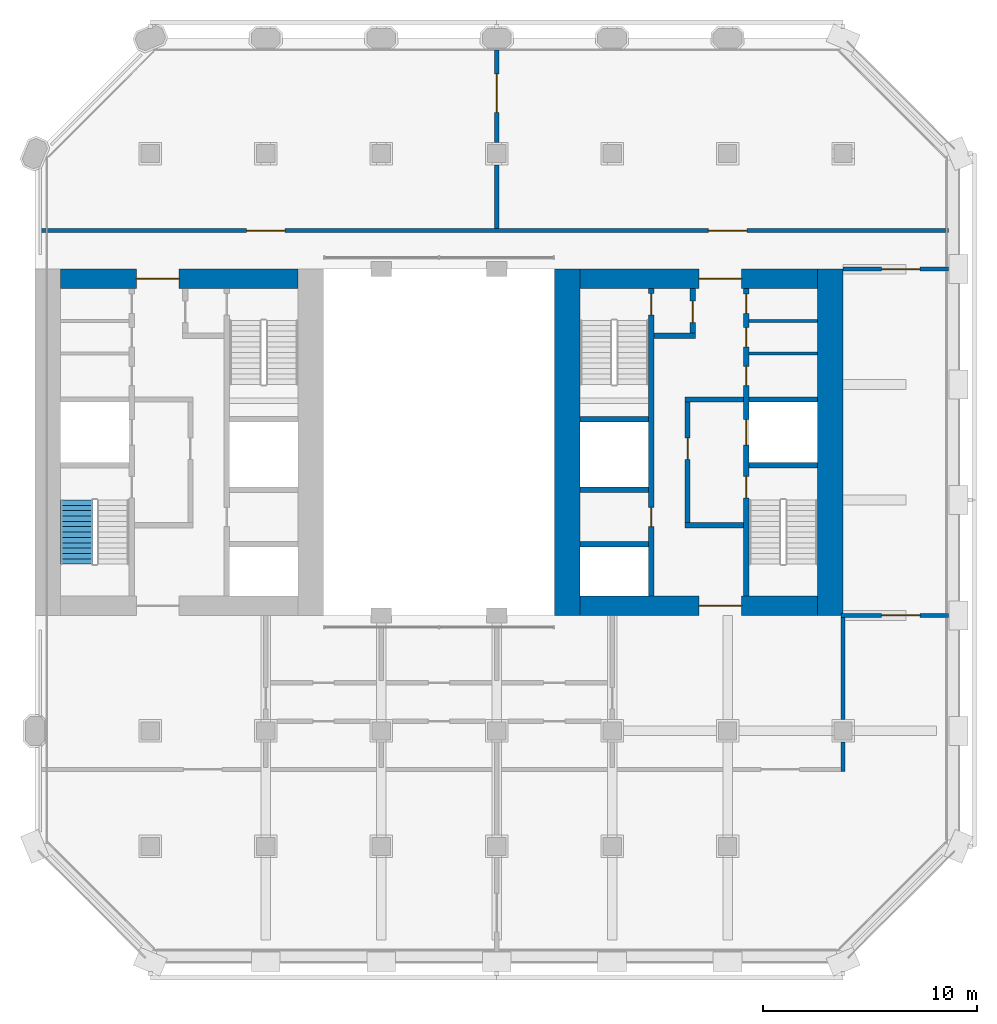
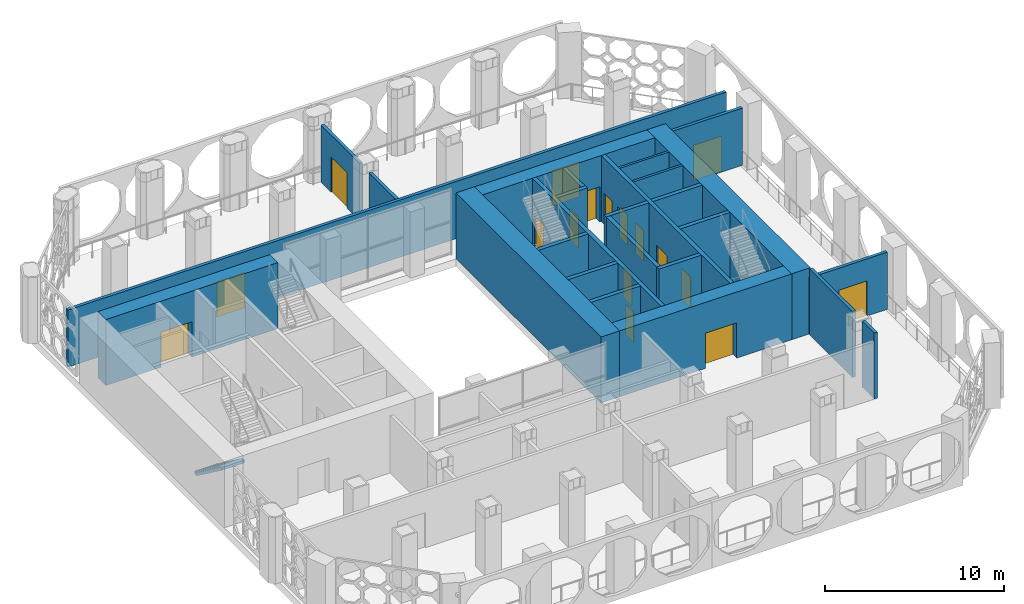
# One storey, part 9 of 14: 26 walls, 17 doors, 1 stair flight, 17 openings, 1 element without a shape of its own.
"""IFC4 building model written with IfcOpenShell, lengths in metres."""

from ifc_helpers import new_model, si_unit, direction, frame, frame_2d, origin, place, context, subcontext, project, spatial, polyline, rectangle, outline, extrude, material, layer, layer_set, type_object, element, fill, aggregate, save


model = new_model("IFC4")

# Units and contexts
model_context = context("Model", 3, precision=1e-05, world=origin(), true_north=direction((0.0, 1.0)))
body_context = subcontext(model_context, "Body", "Model", "MODEL_VIEW")
ifc_project = project(units=[si_unit("LENGTHUNIT", "METRE"), si_unit("AREAUNIT", "SQUARE_METRE"), si_unit("VOLUMEUNIT", "CUBIC_METRE"), si_unit("PLANEANGLEUNIT", "RADIAN"), si_unit("MASSUNIT", "GRAM", prefix="KILO")], contexts=[model_context])

# Site, building, storey
site_placement = place(None, origin())
site = spatial("IfcSite", under=ifc_project, at=site_placement, CompositionType="ELEMENT")
building_placement = place(site_placement, origin())
building = spatial("IfcBuilding", under=site, at=building_placement, Name="Tabaq Tower and Sports Hall", CompositionType="ELEMENT")
storey_placement = place(building_placement, frame((0.0, 0.0, 175.89990234375)))
storey = spatial("IfcBuildingStorey", under=building, at=storey_placement, Name="L42", CompositionType="ELEMENT", Elevation=175.89990234375)

# Walls
ifc_material_1 = material(Name="Blockwork", Category="masonry")
ifc_layer_1 = layer(ifc_material_1, 0.14990234375)
ifc_layer_set_1 = layer_set([ifc_layer_1], Name="Core room partition 150 Blockwork")
wall_type_1 = type_object("IfcWallType", Name="Core room partition 150 Blockwork", PredefinedType="PARTITIONING", material=ifc_layer_set_1)
for number, where, z_axis, x_axis, name in (
    (1, (38.800048828125, 28.455078125, 0.0), (0.0, 0.0, 1.0), (1.0, 0.0, 0.0), "Core room partition E L42"),
    (2, (38.800048828125, 29.97802734375, 0.0), (0.0, 0.0, 1.0), (1.0, 0.0, 0.0), "Core room partition E L42"),
):
    element("IfcWall", number, at=place(storey_placement, frame(where, z_axis=z_axis, x_axis=x_axis)), inside=storey, type_object=wall_type_1, Name=name, PredefinedType="PARTITIONING", context=body_context, shape_type="SweptSolid", body=[
        extrude(rectangle(XDim=3.199951171875, YDim=0.14990234375, at=frame_2d((1.60009765625, 0.0))), origin(), (0.0, 0.0, 1.0), 4.5),
    ])
ifc_material_2 = material(Name="Concrete C50/60", Category="concrete")
ifc_layer_2 = layer(ifc_material_2, 1.199951171875)
ifc_layer_set_2 = layer_set([ifc_layer_2], Name="Core wall 1200 Concrete C50/60")
wall_type_2 = type_object("IfcWallType", Name="Core wall 1200 Concrete C50/60", PredefinedType="SOLIDWALL", material=ifc_layer_set_2)
for number, where, z_axis, x_axis, name in (
    (3, (42.60009765625, 32.39990234375, 0.0), (0.0, 0.0, 1.0), (0.0, -1.0, 0.0), "Core wall E L42"),
    (4, (30.300048828125, 16.199951171875, 0.0), (0.0, 0.0, 1.0), (0.0, 1.0, 0.0), "Core wall E L42"),
):
    element("IfcWall", number, at=place(storey_placement, frame(where, z_axis=z_axis, x_axis=x_axis)), inside=storey, type_object=wall_type_2, Name=name, PredefinedType="SOLIDWALL", context=body_context, shape_type="SweptSolid", body=[
        extrude(rectangle(XDim=16.199951171875, YDim=1.199951171875, at=frame_2d((8.10009765625, 0.0))), origin(), (0.0, 0.0, 1.0), 4.5),
    ])

# Wall, opening, door
ifc_material_3 = material(Name="Concrete C50/60", Category="concrete")
ifc_layer_3 = layer(ifc_material_3, 0.89990234375)
ifc_layer_set_3 = layer_set([ifc_layer_3], Name="Core wall 900 Concrete C50/60")
wall_type_3 = type_object("IfcWallType", Name="Core wall 900 Concrete C50/60", PredefinedType="SOLIDWALL", material=ifc_layer_set_3)
wall_1_placement = place(storey_placement, frame((6.60009765625, 31.949951171875, 0.0), z_axis=(0.0, 0.0, 1.0), x_axis=(1.0, 0.0, 0.0)))
wall_1 = element("IfcWall", 5, at=wall_1_placement, inside=storey, type_object=wall_type_3, Name="Core wall W L42", PredefinedType="SOLIDWALL", context=body_context, shape_type="SweptSolid", body=[
    extrude(rectangle(XDim=11.099853515625, YDim=0.89990234375, at=frame_2d((5.5498046875, 0.0))), origin(), (0.0, 0.0, 1.0), 4.5),
])
opening_1_placement = place(wall_1_placement, frame((3.550048828125, 0.0, 0.0)))
opening_1 = element("IfcOpeningElement", 6, at=opening_1_placement, cuts=wall_1, Name="Opening PD-WL42-02", PredefinedType="OPENING", context=body_context, shape_type="SweptSolid", body=[
    extrude(rectangle(XDim=2.0, YDim=2.39990234375, at=frame_2d((1.0, 1.199951171875))), frame((0.0, 0.449951171875, 0.0), z_axis=(0.0, -1.0, 0.0), x_axis=(1.0, 0.0, 0.0)), (0.0, 0.0, 1.0), 0.89990234375),
])
ifc_material_4 = material(Name="Steel fire door", Category="steel")
door_type_1 = type_object("IfcDoorType", Name="Core entrance door 2000", OperationType="DOUBLE_DOOR_SINGLE_SWING", PredefinedType="DOOR", material=ifc_material_4)
door_1_placement = place(opening_1_placement, origin())
door_1 = element("IfcDoor", 7, at=door_1_placement, inside=storey, type_object=door_type_1, Name="Core entrance north W L42", OperationType="DOUBLE_DOOR_SINGLE_SWING", OverallHeight=2.39990234375, OverallWidth=2.0, PredefinedType="DOOR", context=body_context, shape_type="SweptSolid", body=[
    extrude(rectangle(XDim=2.0, YDim=2.39990234375, at=frame_2d((1.0, 1.199951171875))), frame((0.0, 0.02490234375, 0.0), z_axis=(0.0, -1.0, 0.0), x_axis=(1.0, 0.0, 0.0)), (0.0, 0.0, 1.0), 0.050048828125),
])
fill(opening_1, door_1)

wall_2_placement = place(storey_placement, frame((42.0, 16.64990234375, 0.0), z_axis=(0.0, 0.0, 1.0), x_axis=(-1.0, 0.0, 0.0)))
wall_2 = element("IfcWall", 8, at=wall_2_placement, inside=storey, type_object=wall_type_3, Name="Core wall E L42", PredefinedType="SOLIDWALL", context=body_context, shape_type="SweptSolid", body=[
    extrude(rectangle(XDim=11.10009765625, YDim=0.89990234375, at=frame_2d((5.550048828125, 0.0))), origin(), (0.0, 0.0, 1.0), 4.5),
])
opening_2_placement = place(wall_2_placement, frame((3.550048828125, 0.0, 0.0)))
opening_2 = element("IfcOpeningElement", 9, at=opening_2_placement, cuts=wall_2, Name="Opening PD-EL42-01", PredefinedType="OPENING", context=body_context, shape_type="SweptSolid", body=[
    extrude(rectangle(XDim=2.0, YDim=2.39990234375, at=frame_2d((1.0, 1.199951171875))), frame((0.0, 0.449951171875, 0.0), z_axis=(0.0, -1.0, 0.0), x_axis=(1.0, 0.0, 0.0)), (0.0, 0.0, 1.0), 0.89990234375),
])
door_2_placement = place(opening_2_placement, origin())
door_2 = element("IfcDoor", 10, at=door_2_placement, inside=storey, type_object=door_type_1, Name="Core entrance south E L42", OperationType="DOUBLE_DOOR_SINGLE_SWING", OverallHeight=2.39990234375, OverallWidth=2.0, PredefinedType="DOOR", context=body_context, shape_type="SweptSolid", body=[
    extrude(rectangle(XDim=2.0, YDim=2.39990234375, at=frame_2d((1.0, 1.199951171875))), frame((0.0, 0.02490234375, 0.0), z_axis=(0.0, -1.0, 0.0), x_axis=(1.0, 0.0, 0.0)), (0.0, 0.0, 1.0), 0.050048828125),
])
fill(opening_2, door_2)

wall_3_placement = place(storey_placement, frame((30.89990234375, 31.949951171875, 0.0), z_axis=(0.0, 0.0, 1.0), x_axis=(1.0, 0.0, 0.0)))
wall_3 = element("IfcWall", 11, at=wall_3_placement, inside=storey, type_object=wall_type_3, Name="Core wall E L42", PredefinedType="SOLIDWALL", context=body_context, shape_type="SweptSolid", body=[
    extrude(rectangle(XDim=11.10009765625, YDim=0.89990234375, at=frame_2d((5.550048828125, 0.0))), origin(), (0.0, 0.0, 1.0), 4.5),
])
opening_3_placement = place(wall_3_placement, frame((5.550048828125, 0.0, 0.0)))
opening_3 = element("IfcOpeningElement", 12, at=opening_3_placement, cuts=wall_3, Name="Opening PD-EL42-02", PredefinedType="OPENING", context=body_context, shape_type="SweptSolid", body=[
    extrude(rectangle(XDim=2.0, YDim=2.39990234375, at=frame_2d((1.0, 1.199951171875))), frame((0.0, 0.449951171875, 0.0), z_axis=(0.0, -1.0, 0.0), x_axis=(1.0, 0.0, 0.0)), (0.0, 0.0, 1.0), 0.89990234375),
])
door_3_placement = place(opening_3_placement, origin())
door_3 = element("IfcDoor", 13, at=door_3_placement, inside=storey, type_object=door_type_1, Name="Core entrance north E L42", OperationType="DOUBLE_DOOR_SINGLE_SWING", OverallHeight=2.39990234375, OverallWidth=2.0, PredefinedType="DOOR", context=body_context, shape_type="SweptSolid", body=[
    extrude(rectangle(XDim=2.0, YDim=2.39990234375, at=frame_2d((1.0, 1.199951171875))), frame((0.0, 0.02490234375, 0.0), z_axis=(0.0, -1.0, 0.0), x_axis=(1.0, 0.0, 0.0)), (0.0, 0.0, 1.0), 0.050048828125),
])
fill(opening_3, door_3)

# Wall, openings, doors
ifc_material_5 = material(Name="Blockwork", Category="masonry")
ifc_layer_4 = layer(ifc_material_5, 0.199951171875)
ifc_layer_set_4 = layer_set([ifc_layer_4], Name="Fire compartment wall 200 Blockwork")
wall_type_4 = type_object("IfcWallType", Name="Fire compartment wall 200 Blockwork", PredefinedType="PARTITIONING", material=ifc_layer_set_4)
wall_4_placement = place(storey_placement, frame((48.1201171875, 34.199951171875, 0.0), z_axis=(0.0, 0.0, 1.0), x_axis=(-1.0, 0.0, 0.0)))
wall_4 = element("IfcWall", 14, at=wall_4_placement, inside=storey, type_object=wall_type_4, Name="Compartment wall L42", PredefinedType="PARTITIONING", context=body_context, shape_type="SweptSolid", body=[
    extrude(rectangle(XDim=42.47021484375, YDim=0.199951171875, at=frame_2d((21.235107421875, 0.0))), origin(), (0.0, 0.0, 1.0), 3.900146484375),
])
opening_4_placement = place(wall_4_placement, frame((31.02001953125, 0.0, 0.0)))
opening_4 = element("IfcOpeningElement", 15, at=opening_4_placement, cuts=wall_4, Name="Opening L42-007", PredefinedType="OPENING", context=body_context, shape_type="SweptSolid", body=[
    extrude(rectangle(XDim=1.800048828125, YDim=2.39990234375, at=frame_2d((0.89990234375, 1.199951171875))), frame((0.0, 0.10009765625, 0.0), z_axis=(0.0, -1.0, 0.0), x_axis=(1.0, 0.0, 0.0)), (0.0, 0.0, 1.0), 0.199951171875),
])
opening_5_placement = place(wall_4_placement, frame((9.419921875, 0.0, 0.0)))
opening_5 = element("IfcOpeningElement", 16, at=opening_5_placement, cuts=wall_4, Name="Opening L42-008", PredefinedType="OPENING", context=body_context, shape_type="SweptSolid", body=[
    extrude(rectangle(XDim=1.800048828125, YDim=2.39990234375, at=frame_2d((0.89990234375, 1.199951171875))), frame((0.0, 0.10009765625, 0.0), z_axis=(0.0, -1.0, 0.0), x_axis=(1.0, 0.0, 0.0)), (0.0, 0.0, 1.0), 0.199951171875),
])
ifc_material_6 = material(Name="Steel fire door", Category="steel")
door_type_2 = type_object("IfcDoorType", Name="Refuge holding area door 1800", OperationType="DOUBLE_DOOR_SINGLE_SWING", PredefinedType="DOOR", material=ifc_material_6)
door_4_placement = place(opening_4_placement, origin())
door_4 = element("IfcDoor", 17, at=door_4_placement, inside=storey, type_object=door_type_2, Name="Refuge holding area door L42-007", OperationType="DOUBLE_DOOR_SINGLE_SWING", OverallHeight=2.39990234375, OverallWidth=1.800048828125, PredefinedType="DOOR", context=body_context, shape_type="SweptSolid", body=[
    extrude(rectangle(XDim=1.800048828125, YDim=2.39990234375, at=frame_2d((0.89990234375, 1.199951171875))), frame((0.0, 0.02490234375, 0.0), z_axis=(0.0, -1.0, 0.0), x_axis=(1.0, 0.0, 0.0)), (0.0, 0.0, 1.0), 0.050048828125),
])
fill(opening_4, door_4)
door_5_placement = place(opening_5_placement, origin())
door_5 = element("IfcDoor", 18, at=door_5_placement, inside=storey, type_object=door_type_2, Name="Refuge holding area door L42-008", OperationType="DOUBLE_DOOR_SINGLE_SWING", OverallHeight=2.39990234375, OverallWidth=1.800048828125, PredefinedType="DOOR", context=body_context, shape_type="SweptSolid", body=[
    extrude(rectangle(XDim=1.800048828125, YDim=2.39990234375, at=frame_2d((0.89990234375, 1.199951171875))), frame((0.0, 0.02490234375, 0.0), z_axis=(0.0, -1.0, 0.0), x_axis=(1.0, 0.0, 0.0)), (0.0, 0.0, 1.0), 0.050048828125),
])
fill(opening_5, door_5)

# Wall, opening, door
wall_5_placement = place(storey_placement, frame((43.199951171875, 32.39990234375, 0.0), z_axis=(0.0, 0.0, 1.0), x_axis=(1.0, 0.0, 0.0)))
wall_5 = element("IfcWall", 19, at=wall_5_placement, inside=storey, type_object=wall_type_4, Name="Compartment wall L42", PredefinedType="PARTITIONING", context=body_context, shape_type="SweptSolid", body=[
    extrude(rectangle(XDim=4.920166015625, YDim=0.199951171875, at=frame_2d((2.4599609375, 0.0))), origin(), (0.0, 0.0, 1.0), 3.900146484375),
])
opening_6_placement = place(wall_5_placement, frame((1.800048828125, 0.0, 0.0)))
opening_6 = element("IfcOpeningElement", 20, at=opening_6_placement, cuts=wall_5, Name="Opening L42-009", PredefinedType="OPENING", context=body_context, shape_type="SweptSolid", body=[
    extrude(rectangle(XDim=1.800048828125, YDim=2.39990234375, at=frame_2d((0.89990234375, 1.199951171875))), frame((0.0, 0.10009765625, 0.0), z_axis=(0.0, -1.0, 0.0), x_axis=(1.0, 0.0, 0.0)), (0.0, 0.0, 1.0), 0.199951171875),
])
door_6_placement = place(opening_6_placement, origin())
door_6 = element("IfcDoor", 21, at=door_6_placement, inside=storey, type_object=door_type_2, Name="Refuge holding area door L42-009", OperationType="DOUBLE_DOOR_SINGLE_SWING", OverallHeight=2.39990234375, OverallWidth=1.800048828125, PredefinedType="DOOR", context=body_context, shape_type="SweptSolid", body=[
    extrude(rectangle(XDim=1.800048828125, YDim=2.39990234375, at=frame_2d((0.89990234375, 1.199951171875))), frame((0.0, 0.02490234375, 0.0), z_axis=(0.0, -1.0, 0.0), x_axis=(1.0, 0.0, 0.0)), (0.0, 0.0, 1.0), 0.050048828125),
])
fill(opening_6, door_6)

# Wall
wall_6_placement = place(storey_placement, frame((27.0, 34.300048828125, 0.0), z_axis=(0.0, 0.0, 1.0), x_axis=(0.0, 1.0, 0.0)))
element("IfcWall", 22, at=wall_6_placement, inside=storey, type_object=wall_type_4, Name="Compartment wall L42", PredefinedType="PARTITIONING", context=body_context, shape_type="SweptSolid", body=[
    extrude(rectangle(XDim=2.974365234375, YDim=0.199951171875, at=frame_2d((1.4873046875, 0.0))), origin(), (0.0, 0.0, 1.0), 3.900146484375),
])

# Wall, opening, door
wall_7_placement = place(storey_placement, frame((27.0, 38.32568359375, 0.0), z_axis=(0.0, 0.0, 1.0), x_axis=(0.0, 1.0, 0.0)))
wall_7 = element("IfcWall", 23, at=wall_7_placement, inside=storey, type_object=wall_type_4, Name="Compartment wall L42", PredefinedType="PARTITIONING", context=body_context, shape_type="SweptSolid", body=[
    extrude(rectangle(XDim=4.32421875, YDim=0.199951171875, at=frame_2d((2.162109375, 0.0))), origin(), (0.0, 0.0, 1.0), 3.900146484375),
])
opening_7_placement = place(wall_7_placement, frame((1.3994140625, 0.0, 0.0)))
opening_7 = element("IfcOpeningElement", 24, at=opening_7_placement, cuts=wall_7, Name="Opening L42-010", PredefinedType="OPENING", context=body_context, shape_type="SweptSolid", body=[
    extrude(rectangle(XDim=1.800048828125, YDim=2.39990234375, at=frame_2d((0.89990234375, 1.199951171875))), frame((0.0, 0.10009765625, 0.0), z_axis=(0.0, -1.0, 0.0), x_axis=(1.0, 0.0, 0.0)), (0.0, 0.0, 1.0), 0.199951171875),
])
door_7_placement = place(opening_7_placement, origin())
door_7 = element("IfcDoor", 25, at=door_7_placement, inside=storey, type_object=door_type_2, Name="Refuge holding area door L42-010", OperationType="DOUBLE_DOOR_SINGLE_SWING", OverallHeight=2.39990234375, OverallWidth=1.800048828125, PredefinedType="DOOR", context=body_context, shape_type="SweptSolid", body=[
    extrude(rectangle(XDim=1.800048828125, YDim=2.39990234375, at=frame_2d((0.89990234375, 1.199951171875))), frame((0.0, 0.02490234375, 0.0), z_axis=(0.0, -1.0, 0.0), x_axis=(1.0, 0.0, 0.0)), (0.0, 0.0, 1.0), 0.050048828125),
])
fill(opening_7, door_7)

wall_8_placement = place(storey_placement, frame((48.1201171875, 16.199951171875, 0.0), z_axis=(0.0, 0.0, 1.0), x_axis=(-1.0, 0.0, 0.0)))
wall_8 = element("IfcWall", 26, at=wall_8_placement, inside=storey, type_object=wall_type_4, Name="Compartment wall L42", PredefinedType="PARTITIONING", context=body_context, shape_type="SweptSolid", body=[
    extrude(rectangle(XDim=5.02001953125, YDim=0.199951171875, at=frame_2d((2.510009765625, 0.0))), origin(), (0.0, 0.0, 1.0), 3.900146484375),
])
opening_8_placement = place(wall_8_placement, frame((1.320068359375, 0.0, 0.0)))
opening_8 = element("IfcOpeningElement", 27, at=opening_8_placement, cuts=wall_8, Name="Opening L42-013", PredefinedType="OPENING", context=body_context, shape_type="SweptSolid", body=[
    extrude(rectangle(XDim=1.800048828125, YDim=2.39990234375, at=frame_2d((0.89990234375, 1.199951171875))), frame((0.0, 0.10009765625, 0.0), z_axis=(0.0, -1.0, 0.0), x_axis=(1.0, 0.0, 0.0)), (0.0, 0.0, 1.0), 0.199951171875),
])
door_8_placement = place(opening_8_placement, origin())
door_8 = element("IfcDoor", 28, at=door_8_placement, inside=storey, type_object=door_type_2, Name="Refuge holding area door L42-013", OperationType="DOUBLE_DOOR_SINGLE_SWING", OverallHeight=2.39990234375, OverallWidth=1.800048828125, PredefinedType="DOOR", context=body_context, shape_type="SweptSolid", body=[
    extrude(rectangle(XDim=1.800048828125, YDim=2.39990234375, at=frame_2d((0.89990234375, 1.199951171875))), frame((0.0, 0.02490234375, 0.0), z_axis=(0.0, -1.0, 0.0), x_axis=(1.0, 0.0, 0.0)), (0.0, 0.0, 1.0), 0.050048828125),
])
fill(opening_8, door_8)

# Walls
wall_9_placement = place(storey_placement, frame((43.199951171875, 16.10009765625, 0.0), z_axis=(0.0, 0.0, 1.0), x_axis=(0.0, -1.0, 0.0)))
element("IfcWall", 29, at=wall_9_placement, inside=storey, type_object=wall_type_4, Name="Compartment wall L42", PredefinedType="PARTITIONING", context=body_context, shape_type="SweptSolid", body=[
    extrude(rectangle(XDim=4.7744140625, YDim=0.199951171875, at=frame_2d((2.38720703125, 0.0))), origin(), (0.0, 0.0, 1.0), 4.5),
])
wall_10_placement = place(storey_placement, frame((43.199951171875, 10.2744140625, 0.0), z_axis=(0.0, 0.0, 1.0), x_axis=(0.0, -1.0, 0.0)))
element("IfcWall", 30, at=wall_10_placement, inside=storey, type_object=wall_type_4, Name="Compartment wall L42", PredefinedType="PARTITIONING", context=body_context, shape_type="SweptSolid", body=[
    extrude(rectangle(XDim=1.37451171875, YDim=0.199951171875, at=frame_2d((0.687255859375, 0.0))), origin(), (0.0, 0.0, 1.0), 4.5),
])

# Wall, openings, doors
ifc_material_7 = material(Name="Concrete C40/50", Category="concrete")
ifc_layer_5 = layer(ifc_material_7, 0.25)
ifc_layer_set_5 = layer_set([ifc_layer_5], Name="Shaft and stair wall 250 Concrete C40/50")
wall_type_5 = type_object("IfcWallType", Name="Shaft and stair wall 250 Concrete C40/50", PredefinedType="SOLIDWALL", material=ifc_layer_set_5)
wall_11_placement = place(storey_placement, frame((38.675048828125, 17.10009765625, 0.0), z_axis=(0.0, 0.0, 1.0), x_axis=(0.0, 1.0, 0.0)))
wall_11 = element("IfcWall", 31, at=wall_11_placement, inside=storey, type_object=wall_type_5, Name="Shaft wall E L42", PredefinedType="SOLIDWALL", context=body_context, shape_type="SweptSolid", body=[
    extrude(rectangle(XDim=14.39990234375, YDim=0.25, at=frame_2d((7.199951171875, 0.0))), origin(), (0.0, 0.0, 1.0), 4.5),
])
opening_9_placement = place(wall_11_placement, frame((4.60009765625, 0.0, 0.0)))
opening_9 = element("IfcOpeningElement", 32, at=opening_9_placement, cuts=wall_11, Name="Opening SD-EL42-03", PredefinedType="OPENING", context=body_context, shape_type="SweptSolid", body=[
    extrude(rectangle(XDim=1.0, YDim=2.10009765625, at=frame_2d((0.5, 1.050048828125))), frame((0.0, 0.125, 0.0), z_axis=(0.0, -1.0, 0.0), x_axis=(1.0, 0.0, 0.0)), (0.0, 0.0, 1.0), 0.25),
])
opening_10_placement = place(wall_11_placement, frame((7.0625, 0.0, 0.0)))
opening_10 = element("IfcOpeningElement", 33, at=opening_10_placement, cuts=wall_11, Name="Opening LD-FF2-L42", PredefinedType="OPENING", context=body_context, shape_type="SweptSolid", body=[
    extrude(rectangle(XDim=1.199951171875, YDim=2.10009765625, at=frame_2d((0.60009765625, 1.050048828125))), frame((0.0, 0.125, 0.0), z_axis=(0.0, -1.0, 0.0), x_axis=(1.0, 0.0, 0.0)), (0.0, 0.0, 1.0), 0.25),
])
opening_11_placement = place(wall_11_placement, frame((9.8525390625, 0.0, 0.0)))
opening_11 = element("IfcOpeningElement", 34, at=opening_11_placement, cuts=wall_11, Name="Opening RD-EL42-08", PredefinedType="OPENING", context=body_context, shape_type="SweptSolid", body=[
    extrude(rectangle(XDim=0.89990234375, YDim=2.10009765625, at=frame_2d((0.449951171875, 1.050048828125))), frame((0.0, 0.125, 0.0), z_axis=(0.0, -1.0, 0.0), x_axis=(1.0, 0.0, 0.0)), (0.0, 0.0, 1.0), 0.25),
])
opening_12_placement = place(wall_11_placement, frame((11.66650390625, 0.0, 0.0)))
opening_12 = element("IfcOpeningElement", 35, at=opening_12_placement, cuts=wall_11, Name="Opening RD-EL42-09", PredefinedType="OPENING", context=body_context, shape_type="SweptSolid", body=[
    extrude(rectangle(XDim=0.89990234375, YDim=2.10009765625, at=frame_2d((0.449951171875, 1.050048828125))), frame((0.0, 0.125, 0.0), z_axis=(0.0, -1.0, 0.0), x_axis=(1.0, 0.0, 0.0)), (0.0, 0.0, 1.0), 0.25),
])
opening_13_placement = place(wall_11_placement, frame((13.2265625, 0.0, 0.0)))
opening_13 = element("IfcOpeningElement", 36, at=opening_13_placement, cuts=wall_11, Name="Opening RD-EL42-10", PredefinedType="OPENING", context=body_context, shape_type="SweptSolid", body=[
    extrude(rectangle(XDim=0.89990234375, YDim=2.10009765625, at=frame_2d((0.449951171875, 1.050048828125))), frame((0.0, 0.125, 0.0), z_axis=(0.0, -1.0, 0.0), x_axis=(1.0, 0.0, 0.0)), (0.0, 0.0, 1.0), 0.25),
])
ifc_material_8 = material(Name="Steel fire door", Category="steel")
door_type_3 = type_object("IfcDoorType", Name="Core room door 900", OperationType="SINGLE_SWING_LEFT", PredefinedType="DOOR", material=ifc_material_8)
door_9_placement = place(opening_11_placement, origin())
door_9 = element("IfcDoor", 37, at=door_9_placement, inside=storey, type_object=door_type_3, Name="Door Refuge Floor Plant Room E L42", OperationType="SINGLE_SWING_LEFT", OverallHeight=2.10009765625, OverallWidth=0.89990234375, PredefinedType="DOOR", context=body_context, shape_type="SweptSolid", body=[
    extrude(rectangle(XDim=0.89990234375, YDim=2.10009765625, at=frame_2d((0.449951171875, 1.050048828125))), frame((0.0, 0.02490234375, 0.0), z_axis=(0.0, -1.0, 0.0), x_axis=(1.0, 0.0, 0.0)), (0.0, 0.0, 1.0), 0.050048828125),
])
fill(opening_11, door_9)
door_10_placement = place(opening_12_placement, origin())
door_10 = element("IfcDoor", 38, at=door_10_placement, inside=storey, type_object=door_type_3, Name="Door Electrical Room E L42", OperationType="SINGLE_SWING_LEFT", OverallHeight=2.10009765625, OverallWidth=0.89990234375, PredefinedType="DOOR", context=body_context, shape_type="SweptSolid", body=[
    extrude(rectangle(XDim=0.89990234375, YDim=2.10009765625, at=frame_2d((0.449951171875, 1.050048828125))), frame((0.0, 0.02490234375, 0.0), z_axis=(0.0, -1.0, 0.0), x_axis=(1.0, 0.0, 0.0)), (0.0, 0.0, 1.0), 0.050048828125),
])
fill(opening_12, door_10)
door_11_placement = place(opening_13_placement, origin())
door_11 = element("IfcDoor", 39, at=door_11_placement, inside=storey, type_object=door_type_3, Name="Door Smoke Extract Riser Room E L42", OperationType="SINGLE_SWING_LEFT", OverallHeight=2.10009765625, OverallWidth=0.89990234375, PredefinedType="DOOR", context=body_context, shape_type="SweptSolid", body=[
    extrude(rectangle(XDim=0.89990234375, YDim=2.10009765625, at=frame_2d((0.449951171875, 1.050048828125))), frame((0.0, 0.02490234375, 0.0), z_axis=(0.0, -1.0, 0.0), x_axis=(1.0, 0.0, 0.0)), (0.0, 0.0, 1.0), 0.050048828125),
])
fill(opening_13, door_11)
ifc_material_9 = material(Name="Stainless steel", Category="steel")
door_type_4 = type_object("IfcDoorType", Name="Lift landing door 1200", OperationType="DOUBLE_DOOR_SLIDING", PredefinedType="DOOR", material=ifc_material_9)
door_12_placement = place(opening_10_placement, origin())
door_12 = element("IfcDoor", 40, at=door_12_placement, inside=storey, type_object=door_type_4, Name="Lift landing door FF2 E L42", OperationType="DOUBLE_DOOR_SLIDING", OverallHeight=2.10009765625, OverallWidth=1.199951171875, PredefinedType="DOOR", context=body_context, shape_type="SweptSolid", body=[
    extrude(rectangle(XDim=1.199951171875, YDim=2.10009765625, at=frame_2d((0.60009765625, 1.050048828125))), frame((0.0, 0.02490234375, 0.0), z_axis=(0.0, -1.0, 0.0), x_axis=(1.0, 0.0, 0.0)), (0.0, 0.0, 1.0), 0.050048828125),
])
fill(opening_10, door_12)
ifc_material_10 = material(Name="Steel fire door", Category="steel")
door_type_5 = type_object("IfcDoorType", Name="Stair door 1000", OperationType="SINGLE_SWING_LEFT", PredefinedType="DOOR", material=ifc_material_10)
door_13_placement = place(opening_9_placement, origin())
door_13 = element("IfcDoor", 41, at=door_13_placement, inside=storey, type_object=door_type_5, Name="Stair door ST3 E L42", OperationType="SINGLE_SWING_LEFT", OverallHeight=2.10009765625, OverallWidth=1.0, PredefinedType="DOOR", context=body_context, shape_type="SweptSolid", body=[
    extrude(rectangle(XDim=1.0, YDim=2.10009765625, at=frame_2d((0.5, 1.050048828125))), frame((0.0, 0.02490234375, 0.0), z_axis=(0.0, -1.0, 0.0), x_axis=(1.0, 0.0, 0.0)), (0.0, 0.0, 1.0), 0.050048828125),
])
fill(opening_9, door_13)

wall_12_placement = place(storey_placement, frame((34.22509765625, 17.10009765625, 0.0), z_axis=(0.0, 0.0, 1.0), x_axis=(0.0, 1.0, 0.0)))
wall_12 = element("IfcWall", 42, at=wall_12_placement, inside=storey, type_object=wall_type_5, Name="Shaft wall E L42", PredefinedType="SOLIDWALL", context=body_context, shape_type="SweptSolid", body=[
    extrude(rectangle(XDim=14.39990234375, YDim=0.25, at=frame_2d((7.199951171875, 0.0))), origin(), (0.0, 0.0, 1.0), 4.5),
])
opening_14_placement = place(wall_12_placement, frame((13.14990234375, 0.0, 0.0)))
opening_14 = element("IfcOpeningElement", 43, at=opening_14_placement, cuts=wall_12, Name="Opening SD-EL42-05", PredefinedType="OPENING", context=body_context, shape_type="SweptSolid", body=[
    extrude(rectangle(XDim=1.0, YDim=2.10009765625, at=frame_2d((0.5, 1.050048828125))), frame((0.0, 0.125, 0.0), z_axis=(0.0, -1.0, 0.0), x_axis=(1.0, 0.0, 0.0)), (0.0, 0.0, 1.0), 0.25),
])
opening_15_placement = place(wall_12_placement, frame((3.25, 0.0, 0.0)))
opening_15 = element("IfcOpeningElement", 44, at=opening_15_placement, cuts=wall_12, Name="Opening RD-EL42-11", PredefinedType="OPENING", context=body_context, shape_type="SweptSolid", body=[
    extrude(rectangle(XDim=0.89990234375, YDim=2.10009765625, at=frame_2d((0.449951171875, 1.050048828125))), frame((0.0, 0.125, 0.0), z_axis=(0.0, -1.0, 0.0), x_axis=(1.0, 0.0, 0.0)), (0.0, 0.0, 1.0), 0.25),
])
door_14_placement = place(opening_15_placement, origin())
door_14 = element("IfcDoor", 45, at=door_14_placement, inside=storey, type_object=door_type_3, Name="Door Cleaner's Store E L42", OperationType="SINGLE_SWING_LEFT", OverallHeight=2.10009765625, OverallWidth=0.89990234375, PredefinedType="DOOR", context=body_context, shape_type="SweptSolid", body=[
    extrude(rectangle(XDim=0.89990234375, YDim=2.10009765625, at=frame_2d((0.449951171875, 1.050048828125))), frame((0.0, 0.02490234375, 0.0), z_axis=(0.0, -1.0, 0.0), x_axis=(1.0, 0.0, 0.0)), (0.0, 0.0, 1.0), 0.050048828125),
])
fill(opening_15, door_14)
door_15_placement = place(opening_14_placement, origin())
door_15 = element("IfcDoor", 46, at=door_15_placement, inside=storey, type_object=door_type_5, Name="Stair door ST4 E L42", OperationType="SINGLE_SWING_LEFT", OverallHeight=2.10009765625, OverallWidth=1.0, PredefinedType="DOOR", context=body_context, shape_type="SweptSolid", body=[
    extrude(rectangle(XDim=1.0, YDim=2.10009765625, at=frame_2d((0.5, 1.050048828125))), frame((0.0, 0.02490234375, 0.0), z_axis=(0.0, -1.0, 0.0), x_axis=(1.0, 0.0, 0.0)), (0.0, 0.0, 1.0), 0.050048828125),
])
fill(opening_14, door_15)

# Walls
wall_13_placement = place(storey_placement, frame((38.800048828125, 23.22509765625, 0.0), z_axis=(0.0, 0.0, 1.0), x_axis=(1.0, 0.0, 0.0)))
element("IfcWall", 47, at=wall_13_placement, inside=storey, type_object=wall_type_5, Name="Stair enclosure wall E L42", PredefinedType="SOLIDWALL", context=body_context, shape_type="SweptSolid", body=[
    extrude(rectangle(XDim=3.199951171875, YDim=0.25, at=frame_2d((1.60009765625, 0.0))), origin(), (0.0, 0.0, 1.0), 4.5),
])
for number, where, z_axis, x_axis, name in (
    (48, (30.89990234375, 25.375, 0.0), (0.0, 0.0, 1.0), (1.0, 0.0, 0.0), "Stair enclosure wall E L42"),
    (49, (30.89990234375, 22.074951171875, 0.0), (0.0, 0.0, 1.0), (1.0, 0.0, 0.0), "Shaft wall E L42"),
):
    element("IfcWall", number, at=place(storey_placement, frame(where, z_axis=z_axis, x_axis=x_axis)), inside=storey, type_object=wall_type_5, Name=name, PredefinedType="SOLIDWALL", context=body_context, shape_type="SweptSolid", body=[
        extrude(rectangle(XDim=3.2001953125, YDim=0.25, at=frame_2d((1.60009765625, 0.0))), origin(), (0.0, 0.0, 1.0), 4.5),
    ])
wall_14_placement = place(storey_placement, frame((38.800048828125, 26.300048828125, 0.0), z_axis=(0.0, 0.0, 1.0), x_axis=(1.0, 0.0, 0.0)))
element("IfcWall", 50, at=wall_14_placement, inside=storey, type_object=wall_type_5, Name="Shaft wall E L42", PredefinedType="SOLIDWALL", context=body_context, shape_type="SweptSolid", body=[
    extrude(rectangle(XDim=3.199951171875, YDim=0.25, at=frame_2d((1.60009765625, 0.0))), origin(), (0.0, 0.0, 1.0), 4.5),
])
for number, where, z_axis, x_axis, name in (
    (51, (35.800048828125, 26.300048828125, 0.0), (0.0, 0.0, 1.0), (1.0, 0.0, 0.0), "Fire-fighting lobby wall E L42"),
    (52, (35.800048828125, 20.425048828125, 0.0), (0.0, 0.0, 1.0), (1.0, 0.0, 0.0), "Fire-fighting lobby wall E L42"),
):
    element("IfcWall", number, at=place(storey_placement, frame(where, z_axis=z_axis, x_axis=x_axis)), inside=storey, type_object=wall_type_5, Name=name, PredefinedType="SOLIDWALL", context=body_context, shape_type="SweptSolid", body=[
        extrude(rectangle(XDim=2.75, YDim=0.25, at=frame_2d((1.375, 0.0))), origin(), (0.0, 0.0, 1.0), 4.5),
    ])

# Wall, opening, door
wall_15_placement = place(storey_placement, frame((36.175048828125, 29.39990234375, 0.0), z_axis=(0.0, 0.0, 1.0), x_axis=(0.0, 1.0, 0.0)))
wall_15 = element("IfcWall", 53, at=wall_15_placement, inside=storey, type_object=wall_type_5, Name="Fire-fighting lobby wall E L42", PredefinedType="SOLIDWALL", context=body_context, shape_type="SweptSolid", body=[
    extrude(rectangle(XDim=2.10009765625, YDim=0.25, at=frame_2d((1.050048828125, 0.0))), origin(), (0.0, 0.0, 1.0), 4.5),
])
opening_16_placement = place(wall_15_placement, frame((0.5, 0.0, 0.0)))
opening_16 = element("IfcOpeningElement", 54, at=opening_16_placement, cuts=wall_15, Name="Opening FD-EL42-06", PredefinedType="OPENING", context=body_context, shape_type="SweptSolid", body=[
    extrude(rectangle(XDim=1.0, YDim=2.10009765625, at=frame_2d((0.5, 1.050048828125))), frame((0.0, 0.125, 0.0), z_axis=(0.0, -1.0, 0.0), x_axis=(1.0, 0.0, 0.0)), (0.0, 0.0, 1.0), 0.25),
])
ifc_material_11 = material(Name="Steel fire door", Category="steel")
door_type_6 = type_object("IfcDoorType", Name="Fire-fighting lobby door 1000", OperationType="SINGLE_SWING_LEFT", PredefinedType="DOOR", material=ifc_material_11)
door_16_placement = place(opening_16_placement, origin())
door_16 = element("IfcDoor", 55, at=door_16_placement, inside=storey, type_object=door_type_6, Name="Stair lobby door E L42", OperationType="SINGLE_SWING_LEFT", OverallHeight=2.10009765625, OverallWidth=1.0, PredefinedType="DOOR", context=body_context, shape_type="SweptSolid", body=[
    extrude(rectangle(XDim=1.0, YDim=2.10009765625, at=frame_2d((0.5, 1.050048828125))), frame((0.0, 0.02490234375, 0.0), z_axis=(0.0, -1.0, 0.0), x_axis=(1.0, 0.0, 0.0)), (0.0, 0.0, 1.0), 0.050048828125),
])
fill(opening_16, door_16)

# Wall
wall_16_placement = place(storey_placement, frame((34.35009765625, 29.27490234375, 0.0), z_axis=(0.0, 0.0, 1.0), x_axis=(1.0, 0.0, 0.0)))
element("IfcWall", 56, at=wall_16_placement, inside=storey, type_object=wall_type_5, Name="Fire-fighting lobby wall E L42", PredefinedType="SOLIDWALL", context=body_context, shape_type="SweptSolid", body=[
    extrude(rectangle(XDim=1.949951171875, YDim=0.25, at=frame_2d((0.97509765625, 0.0))), origin(), (0.0, 0.0, 1.0), 4.5),
])

# Wall, opening, door
wall_17_placement = place(storey_placement, frame((35.925048828125, 20.550048828125, 0.0), z_axis=(0.0, 0.0, 1.0), x_axis=(0.0, 1.0, 0.0)))
wall_17 = element("IfcWall", 57, at=wall_17_placement, inside=storey, type_object=wall_type_5, Name="Fire-fighting lobby wall E L42", PredefinedType="SOLIDWALL", context=body_context, shape_type="SweptSolid", body=[
    extrude(rectangle(XDim=5.625, YDim=0.25, at=frame_2d((2.8125, 0.0))), origin(), (0.0, 0.0, 1.0), 4.5),
])
opening_17_placement = place(wall_17_placement, frame((2.949951171875, 0.0, 0.0)))
opening_17 = element("IfcOpeningElement", 58, at=opening_17_placement, cuts=wall_17, Name="Opening FD-EL42-04", PredefinedType="OPENING", context=body_context, shape_type="SweptSolid", body=[
    extrude(rectangle(XDim=1.0, YDim=2.10009765625, at=frame_2d((0.5, 1.050048828125))), frame((0.0, 0.125, 0.0), z_axis=(0.0, -1.0, 0.0), x_axis=(1.0, 0.0, 0.0)), (0.0, 0.0, 1.0), 0.25),
])
door_17_placement = place(opening_17_placement, origin())
door_17 = element("IfcDoor", 59, at=door_17_placement, inside=storey, type_object=door_type_6, Name="Fire-fighting lobby door E L42", OperationType="SINGLE_SWING_LEFT", OverallHeight=2.10009765625, OverallWidth=1.0, PredefinedType="DOOR", context=body_context, shape_type="SweptSolid", body=[
    extrude(rectangle(XDim=1.0, YDim=2.10009765625, at=frame_2d((0.5, 1.050048828125))), frame((0.0, 0.02490234375, 0.0), z_axis=(0.0, -1.0, 0.0), x_axis=(1.0, 0.0, 0.0)), (0.0, 0.0, 1.0), 0.050048828125),
])
fill(opening_17, door_17)

# Wall
wall_18_placement = place(storey_placement, frame((30.89990234375, 19.52490234375, 0.0), z_axis=(0.0, 0.0, 1.0), x_axis=(1.0, 0.0, 0.0)))
element("IfcWall", 60, at=wall_18_placement, inside=storey, type_object=wall_type_5, Name="Shaft wall E L42", PredefinedType="SOLIDWALL", context=body_context, shape_type="SweptSolid", body=[
    extrude(rectangle(XDim=3.2001953125, YDim=0.25, at=frame_2d((1.60009765625, 0.0))), origin(), (0.0, 0.0, 1.0), 4.5),
])

# Stair, stair flight
ifc_material_12 = material(Name="Concrete C40/50", Category="concrete")
stair_type = type_object("IfcStairType", Name="Exit stair", PredefinedType="HALF_TURN_STAIR", material=ifc_material_12)
stair_placement = place(storey_placement, origin())
stair = element("IfcStair", 61, at=stair_placement, inside=storey, type_object=stair_type, Name="L42 Exit stair ST1", PredefinedType="HALF_TURN_STAIR")
ifc_material_13 = material(Name="Concrete C40/50", Category="concrete")
stair_flight_type = type_object("IfcStairFlightType", Name="Exit stair flight", PredefinedType="STRAIGHT", material=ifc_material_13)
stair_flight_placement = place(storey_placement, frame((7.35009765625, 21.60009765625, 0.0), z_axis=(0.0, 0.0, 1.0), x_axis=(0.0, -1.0, 0.0)))
stair_flight = element("IfcStairFlight", 62, at=stair_flight_placement, type_object=stair_flight_type, Name="ST1 flight 1", NumberOfRisers=13, NumberOfTreads=12, PredefinedType="STRAIGHT", RiserHeight=0.184615385, TreadLength=0.25, context=body_context, shape_type="SweptSolid", body=[
    extrude(outline(polyline([(0.0, 0.0), (0.0, 0.1845703125), (0.25, 0.1845703125), (0.25, 0.369140625), (0.5, 0.369140625), (0.5, 0.553955078125), (0.75, 0.553955078125), (0.75, 0.738525390625), (1.0, 0.738525390625), (1.0, 0.923095703125), (1.25, 0.923095703125), (1.25, 1.107666015625), (1.5, 1.107666015625), (1.5, 1.292236328125), (1.75, 1.292236328125), (1.75, 1.476806640625), (2.0, 1.476806640625), (2.0, 1.66162109375), (2.25, 1.66162109375), (2.25, 1.84619140625), (2.5, 1.84619140625), (2.5, 2.03076171875), (2.75, 2.03076171875), (2.75, 2.21533203125), (3.0, 2.21533203125), (3.0, 2.39990234375), (3.0, 2.029052734375), (0.25244140625, 0.0), (0.0, 0.0)])), frame((0.0, 0.75, 0.0), z_axis=(0.0, -1.0, 0.0), x_axis=(1.0, 0.0, 0.0)), (0.0, 0.0, 1.0), 1.5),
])
aggregate(stair, [stair_flight])

save(model, "model.ifc")
